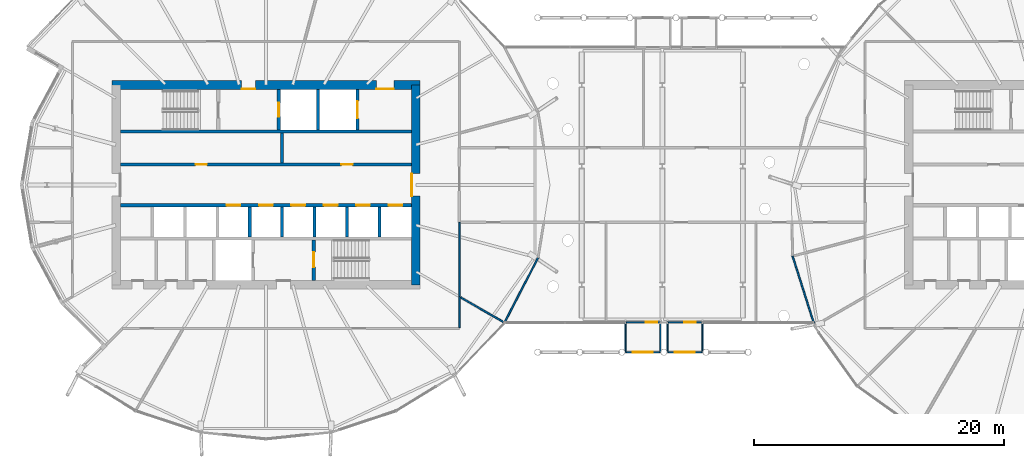
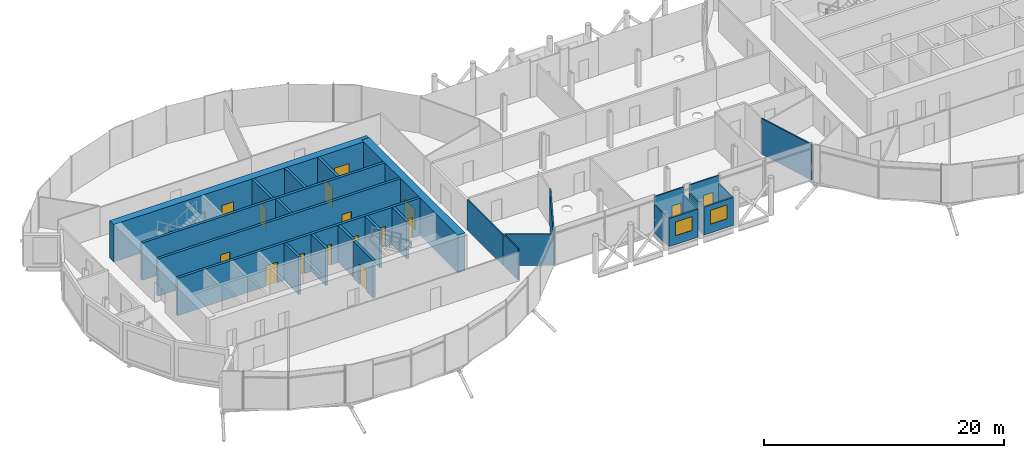
# One storey, part 25 of 40: 28 walls, 16 doors, 2 windows, 18 openings.
"""IFC4 building model written with IfcOpenShell, lengths in metres."""

import ifcopenshell
import ifcopenshell.guid

model = None  # the IFC model being written
_history = None  # IfcOwnerHistory: only IFC2X3 demands one
_inside = {}  # id of a spatial element -> (the spatial element, [elements in it])
_under = {}  # id of a project, library or spatial element -> (it, [spatial elements below it])
_declared = {}  # id of a project -> (the project, [libraries it declares])
_typed = {}  # id of a type object -> (the type object, [elements of that type])
_made_of = {}  # id of a material, layer set ... -> (it, [elements and type objects made of it])


def new_model(schema):
    """Start an empty IFC model of exactly this schema.

    Asked for "IFC4X3", IfcOpenShell would pick the latest addendum, in which some entities
    have other attributes; the version numbers below select the first issue.
    IFC2X3 requires an IfcOwnerHistory on every rooted entity: one is made here for all.
    """
    global model, _history
    if schema == "IFC4X3":
        model = ifcopenshell.file(schema_version=(4, 3, 0, 0))
    else:
        model = ifcopenshell.file(schema=schema)
    _inside.clear()
    _under.clear()
    _declared.clear()
    _typed.clear()
    _made_of.clear()
    _history = None
    if model.schema == "IFC2X3":
        org = make("IfcOrganization", Name="unknown")
        user = make(
            "IfcPersonAndOrganization",
            ThePerson=make("IfcPerson", FamilyName="unknown"),
            TheOrganization=org,
        )
        app = make(
            "IfcApplication",
            ApplicationDeveloper=org,
            Version="unknown",
            ApplicationFullName="unknown",
            ApplicationIdentifier="unknown",
        )
        _history = make(
            "IfcOwnerHistory",
            OwningUser=user,
            OwningApplication=app,
            ChangeAction="ADDED",
            CreationDate=0,
        )
    return model


def make(cls, **values):
    """One entity of the class cls with the attributes given. An attribute that is None is left unset."""
    return model.create_entity(
        cls, **{name: value for name, value in values.items() if value is not None}
    )


def rooted(cls, **values):
    """An entity with a GlobalId (a new one), such as an element, a storey or a relation."""
    return make(cls, GlobalId=ifcopenshell.guid.new(), OwnerHistory=_history, **values)


def si_unit(unit_type, name, prefix=None):
    """IfcSIUnit, for example si_unit("LENGTHUNIT", "METRE", prefix="MILLI")."""
    return make("IfcSIUnit", UnitType=unit_type, Prefix=prefix, Name=name)


def assignment(units):
    """IfcUnitAssignment: the units of a project."""
    return None if units is None else make("IfcUnitAssignment", Units=units)


def point(xyz):
    """IfcCartesianPoint."""
    return None if xyz is None else make("IfcCartesianPoint", Coordinates=xyz)


def direction(xyz):
    """IfcDirection."""
    return None if xyz is None else make("IfcDirection", DirectionRatios=xyz)


def frame(location, z_axis=None, x_axis=None):
    """IfcAxis2Placement3D, a coordinate frame: its origin and axes. An axis left out is left unset."""
    return make(
        "IfcAxis2Placement3D",
        Location=point(location),
        Axis=direction(z_axis),
        RefDirection=direction(x_axis),
    )


def frame_2d(location, x_axis=None):
    """IfcAxis2Placement2D, a coordinate frame in the plane: its origin and x axis."""
    return make(
        "IfcAxis2Placement2D", Location=point(location), RefDirection=direction(x_axis)
    )


def origin():
    """The frame at (0, 0, 0) with its axes left unset."""
    return frame((0.0, 0.0, 0.0))


def place(relative_to, where):
    """IfcLocalPlacement: puts the frame where relative to a parent placement (None: the world)."""
    return make(
        "IfcLocalPlacement", PlacementRelTo=relative_to, RelativePlacement=where
    )


def context(
    kind, dimensions, precision=None, world=None, true_north=None, identifier=None
):
    """IfcGeometricRepresentationContext, for example the 3D "Model" context."""
    return make(
        "IfcGeometricRepresentationContext",
        ContextIdentifier=identifier,
        ContextType=kind,
        CoordinateSpaceDimension=dimensions,
        Precision=precision,
        WorldCoordinateSystem=world,
        TrueNorth=true_north,
    )


def subcontext(parent, identifier, kind, view, scale=None):
    """IfcGeometricRepresentationSubContext, for example "Body" below "Model"."""
    return make(
        "IfcGeometricRepresentationSubContext",
        ContextIdentifier=identifier,
        ContextType=kind,
        ParentContext=parent,
        TargetScale=scale,
        TargetView=view,
    )


def project(units=None, contexts=None):
    """IfcProject with its units and contexts."""
    return rooted(
        "IfcProject",
        Name="project",
        RepresentationContexts=contexts,
        UnitsInContext=assignment(units),
    )


def spatial(cls, under=None, at=None, **own):
    """A site, building, storey or space (cls), placed at a placement, below another one or the project."""
    s = rooted(cls, ObjectPlacement=at, **own)
    if under is not None:
        _under.setdefault(under.id(), (under, []))[1].append(s)
    return s


def profile(cls, at=None, kind="AREA", **sizes):
    """A parametric profile (cls). Its sizes go by their IFC names, for example OverallWidth=200.0."""
    return make(cls, ProfileType=kind, Position=at, **sizes)


def rectangle(**sizes):
    """IfcRectangleProfileDef."""
    return profile("IfcRectangleProfileDef", **sizes)


def extrude(swept, where, along, depth):
    """IfcExtrudedAreaSolid: the profile swept, set in the frame where, extruded along a direction by depth."""
    return make(
        "IfcExtrudedAreaSolid",
        SweptArea=swept,
        Position=where,
        ExtrudedDirection=direction(along),
        Depth=depth,
    )


def shape(context_of_items, identifier, shape_type, items):
    """IfcShapeRepresentation: the items that make up one representation, for example the "Body"."""
    return make(
        "IfcShapeRepresentation",
        ContextOfItems=context_of_items,
        RepresentationIdentifier=identifier,
        RepresentationType=shape_type,
        Items=items,
    )


def material(Name=None, Category=None):
    """IfcMaterial."""
    return make("IfcMaterial", Name=Name, Category=Category)


def layer(
    of_material, thickness, ventilated=None, Name=None, Category=None, Priority=None
):
    """IfcMaterialLayer: one layer of a wall or slab, of a material (None: an air gap)."""
    return make(
        "IfcMaterialLayer",
        Material=of_material,
        LayerThickness=thickness,
        IsVentilated=ventilated,
        Name=Name,
        Category=Category,
        Priority=Priority,
    )


def layer_set(layers, Name=None):
    """IfcMaterialLayerSet."""
    return make("IfcMaterialLayerSet", MaterialLayers=layers, LayerSetName=Name)


def made_of(thing, what):
    """Note that an element or type object is made of a material, layer set ...; save() writes the relation."""
    if what is not None:
        _made_of.setdefault(what.id(), (what, []))[1].append(thing)
    return thing


def type_object(cls, material=None, **own):
    """A type object (cls), such as IfcWallType, which elements share."""
    return made_of(rooted(cls, **own), material)


def element(
    cls,
    number,
    at=None,
    inside=None,
    cuts=None,
    type_object=None,
    material=None,
    context=None,
    identifier="Body",
    shape_type=None,
    held_by="IfcProductDefinitionShape",
    body=None,
    shapes=None,
    **own,
):
    """One element of the class cls, such as IfcWall. Its Tag is "e" and its number.

    at: its placement. inside: the storey or other place that contains it. cuts: it is an
    opening in that element (IfcRelVoidsElement). A single representation is given by context,
    identifier, shape_type and body (its items); several are given by shapes. held_by: the class
    of the entity that holds the representations. save() writes the other relations.
    """
    e = rooted(cls, Tag="e%d" % number, ObjectPlacement=at, **own)
    if body is not None:
        shapes = [shape(context, identifier, shape_type, body)]
    if shapes is not None:
        e.Representation = make(held_by, Representations=shapes)
    if inside is not None:
        _inside.setdefault(inside.id(), (inside, []))[1].append(e)
    if cuts is not None:
        rooted(
            "IfcRelVoidsElement", RelatingBuildingElement=cuts, RelatedOpeningElement=e
        )
    if type_object is not None:
        _typed.setdefault(type_object.id(), (type_object, []))[1].append(e)
    return made_of(e, material)


def fill(opening, filler):
    """IfcRelFillsElement: the door or window that sits in an opening."""
    return rooted(
        "IfcRelFillsElement",
        RelatingOpeningElement=opening,
        RelatedBuildingElement=filler,
    )


def aggregate(whole, parts):
    """IfcRelAggregates: a whole, such as a stair, and the parts it consists of."""
    return rooted("IfcRelAggregates", RelatingObject=whole, RelatedObjects=parts)


def save(model, path):
    """Write the relations noted so far, then the file.

    IfcRelAggregates (storeys below a building ...), IfcRelContainedInSpatialStructure (elements
    in a storey), IfcRelDefinesByType, IfcRelAssociatesMaterial and IfcRelDeclares: one each for
    every whole, place, type object, material and project.
    """
    for whole, parts in _under.values():
        aggregate(whole, parts)
    for where, things in _inside.values():
        rooted(
            "IfcRelContainedInSpatialStructure",
            RelatedElements=things,
            RelatingStructure=where,
        )
    for kind, things in _typed.values():
        rooted("IfcRelDefinesByType", RelatedObjects=things, RelatingType=kind)
    for what, things in _made_of.values():
        rooted("IfcRelAssociatesMaterial", RelatedObjects=things, RelatingMaterial=what)
    for by, libraries in _declared.values():
        rooted("IfcRelDeclares", RelatingContext=by, RelatedDefinitions=libraries)
    model.write(path)


model = new_model("IFC4")

# Units and contexts
model_context = context("Model", 3, precision=1e-05, world=origin(), true_north=direction((0.0, 1.0)))
body_context = subcontext(model_context, "Body", "Model", "MODEL_VIEW")
ifc_project = project(units=[si_unit("LENGTHUNIT", "METRE"), si_unit("AREAUNIT", "SQUARE_METRE"), si_unit("VOLUMEUNIT", "CUBIC_METRE"), si_unit("PLANEANGLEUNIT", "RADIAN"), si_unit("MASSUNIT", "GRAM", prefix="KILO")], contexts=[model_context])

# Site, building, storey
site_placement = place(None, origin())
site = spatial("IfcSite", under=ifc_project, at=site_placement, CompositionType="ELEMENT")
building_placement = place(site_placement, origin())
building = spatial("IfcBuilding", under=site, at=building_placement, Name="Rimbun Link Towers", CompositionType="ELEMENT")
storey_placement = place(building_placement, frame((0.0, 0.0, 150.60009765625)))
storey = spatial("IfcBuildingStorey", under=building, at=storey_placement, Name="L36", CompositionType="ELEMENT", Elevation=150.60009765625)

# Wall
ifc_material_1 = material(Name="Terracotta-faced insulated sandwich panel", Category="masonry")
ifc_layer_1 = layer(ifc_material_1, 0.10009765625)
ifc_layer_set_1 = layer_set([ifc_layer_1], Name="CAPSULE shell panel 100")
wall_type_1 = type_object("IfcWallType", Name="CAPSULE shell panel 100", PredefinedType="STANDARD", material=ifc_layer_set_1)
wall_1_placement = place(storey_placement, frame((-2.95556640625, -11.0, -0.06005859375), z_axis=(0.0, 0.0, 1.0), x_axis=(0.0, -1.0, 0.0)))
element("IfcWall", 1, at=wall_1_placement, inside=storey, type_object=wall_type_1, Name="CAPSULE F36.11 shell panel 1", PredefinedType="STANDARD", context=body_context, shape_type="SweptSolid", body=[
    extrude(rectangle(XDim=2.39990234375, YDim=0.10009765625, at=frame_2d((1.199951171875, 0.0))), origin(), (0.0, 0.0, 1.0), 2.849853515625),
])

# Wall, opening, window
wall_2_placement = place(storey_placement, frame((-2.95556640625, -13.39990234375, -0.06005859375), z_axis=(0.0, 0.0, 1.0), x_axis=(1.0, 0.0, 0.0)))
wall_2 = element("IfcWall", 2, at=wall_2_placement, inside=storey, type_object=wall_type_1, Name="CAPSULE F36.11 shell panel 2", PredefinedType="STANDARD", context=body_context, shape_type="SweptSolid", body=[
    extrude(rectangle(XDim=2.7998046875, YDim=0.10009765625, at=frame_2d((1.39990234375, 0.0))), origin(), (0.0, 0.0, 1.0), 2.849853515625),
])
opening_1_placement = place(wall_2_placement, frame((0.60009765625, 0.0, 0.89990234375)))
opening_1 = element("IfcOpeningElement", 3, at=opening_1_placement, cuts=wall_2, Name="Opening CN36.11", PredefinedType="OPENING", context=body_context, shape_type="SweptSolid", body=[
    extrude(rectangle(XDim=1.60009765625, YDim=1.39990234375, at=frame_2d((0.800048828125, 0.699951171875))), frame((0.0, 0.06005859375, 0.0), z_axis=(0.0, -1.0, 0.0), x_axis=(1.0, 0.0, 0.0)), (0.0, 0.0, 1.0), 0.1201171875),
])
ifc_material_2 = material(Name="Aluminium framed window, low-iron glass", Category="aluminium")
window_type = type_object("IfcWindowType", Name="CAPSULE window 1600X1400", PartitioningType="SINGLE_PANEL", PredefinedType="WINDOW", material=ifc_material_2)
window_1_placement = place(opening_1_placement, origin())
window_1 = element("IfcWindow", 4, at=window_1_placement, inside=storey, type_object=window_type, Name="CAPSULE F36.11 window", OverallHeight=1.39990234375, OverallWidth=1.60009765625, PartitioningType="SINGLE_PANEL", PredefinedType="WINDOW", context=body_context, shape_type="SweptSolid", body=[
    extrude(rectangle(XDim=1.60009765625, YDim=1.39990234375, at=frame_2d((0.800048828125, 0.699951171875))), frame((0.0, 0.030029296875, 0.0), z_axis=(0.0, -1.0, 0.0), x_axis=(1.0, 0.0, 0.0)), (0.0, 0.0, 1.0), 0.06005859375),
])
fill(opening_1, window_1)

# Wall
wall_3_placement = place(storey_placement, frame((-0.15576171875, -13.39990234375, -0.06005859375), z_axis=(0.0, 0.0, 1.0), x_axis=(0.0, 1.0, 0.0)))
element("IfcWall", 5, at=wall_3_placement, inside=storey, type_object=wall_type_1, Name="CAPSULE F36.11 shell panel 3", PredefinedType="STANDARD", context=body_context, shape_type="SweptSolid", body=[
    extrude(rectangle(XDim=2.39990234375, YDim=0.10009765625, at=frame_2d((1.199951171875, 0.0))), origin(), (0.0, 0.0, 1.0), 2.849853515625),
])

# Wall, opening, door
wall_4_placement = place(storey_placement, frame((-0.15576171875, -11.0, -0.06005859375), z_axis=(0.0, 0.0, 1.0), x_axis=(-1.0, 0.0, 0.0)))
wall_4 = element("IfcWall", 6, at=wall_4_placement, inside=storey, type_object=wall_type_1, Name="CAPSULE F36.11 shell panel 4", PredefinedType="STANDARD", context=body_context, shape_type="SweptSolid", body=[
    extrude(rectangle(XDim=2.7998046875, YDim=0.10009765625, at=frame_2d((1.39990234375, 0.0))), origin(), (0.0, 0.0, 1.0), 3.639892578125),
])
opening_2_placement = place(wall_4_placement, frame((0.25, 0.0, 0.0)))
opening_2 = element("IfcOpeningElement", 7, at=opening_2_placement, cuts=wall_4, Name="Opening CD36.11", PredefinedType="OPENING", context=body_context, shape_type="SweptSolid", body=[
    extrude(rectangle(XDim=0.89990234375, YDim=2.10009765625, at=frame_2d((0.449951171875, 1.050048828125))), frame((0.0, 0.06005859375, 0.0), z_axis=(0.0, -1.0, 0.0), x_axis=(1.0, 0.0, 0.0)), (0.0, 0.0, 1.0), 0.1201171875),
])
ifc_material_3 = material(Name="Aluminium framed insulated door leaf", Category="aluminium")
door_type_1 = type_object("IfcDoorType", Name="CAPSULE door single leaf 900X2100", OperationType="SINGLE_SWING_LEFT", PredefinedType="DOOR", material=ifc_material_3)
door_1_placement = place(opening_2_placement, origin())
door_1 = element("IfcDoor", 8, at=door_1_placement, inside=storey, type_object=door_type_1, Name="CAPSULE F36.11 door", OperationType="SINGLE_SWING_RIGHT", OverallHeight=2.10009765625, OverallWidth=0.89990234375, PredefinedType="DOOR", context=body_context, shape_type="SweptSolid", body=[
    extrude(rectangle(XDim=0.89990234375, YDim=2.10009765625, at=frame_2d((0.449951171875, 1.050048828125))), frame((0.0, 0.02490234375, 0.0), z_axis=(0.0, -1.0, 0.0), x_axis=(1.0, 0.0, 0.0)), (0.0, 0.0, 1.0), 0.050048828125),
])
fill(opening_2, door_1)

# Wall
wall_5_placement = place(storey_placement, frame((0.413330078125, -11.0, -0.06005859375), z_axis=(0.0, 0.0, 1.0), x_axis=(0.0, -1.0, 0.0)))
element("IfcWall", 9, at=wall_5_placement, inside=storey, type_object=wall_type_1, Name="CAPSULE F36.12 shell panel 1", PredefinedType="STANDARD", context=body_context, shape_type="SweptSolid", body=[
    extrude(rectangle(XDim=2.39990234375, YDim=0.10009765625, at=frame_2d((1.199951171875, 0.0))), origin(), (0.0, 0.0, 1.0), 2.849853515625),
])

# Wall, opening, window
wall_6_placement = place(storey_placement, frame((0.413330078125, -13.39990234375, -0.06005859375), z_axis=(0.0, 0.0, 1.0), x_axis=(1.0, 0.0, 0.0)))
wall_6 = element("IfcWall", 10, at=wall_6_placement, inside=storey, type_object=wall_type_1, Name="CAPSULE F36.12 shell panel 2", PredefinedType="STANDARD", context=body_context, shape_type="SweptSolid", body=[
    extrude(rectangle(XDim=2.800048828125, YDim=0.10009765625, at=frame_2d((1.39990234375, 0.0))), origin(), (0.0, 0.0, 1.0), 2.849853515625),
])
opening_3_placement = place(wall_6_placement, frame((0.60009765625, 0.0, 0.89990234375)))
opening_3 = element("IfcOpeningElement", 11, at=opening_3_placement, cuts=wall_6, Name="Opening CN36.12", PredefinedType="OPENING", context=body_context, shape_type="SweptSolid", body=[
    extrude(rectangle(XDim=1.60009765625, YDim=1.39990234375, at=frame_2d((0.800048828125, 0.699951171875))), frame((0.0, 0.06005859375, 0.0), z_axis=(0.0, -1.0, 0.0), x_axis=(1.0, 0.0, 0.0)), (0.0, 0.0, 1.0), 0.1201171875),
])
window_2_placement = place(opening_3_placement, origin())
window_2 = element("IfcWindow", 12, at=window_2_placement, inside=storey, type_object=window_type, Name="CAPSULE F36.12 window", OverallHeight=1.39990234375, OverallWidth=1.60009765625, PartitioningType="SINGLE_PANEL", PredefinedType="WINDOW", context=body_context, shape_type="SweptSolid", body=[
    extrude(rectangle(XDim=1.60009765625, YDim=1.39990234375, at=frame_2d((0.800048828125, 0.699951171875))), frame((0.0, 0.030029296875, 0.0), z_axis=(0.0, -1.0, 0.0), x_axis=(1.0, 0.0, 0.0)), (0.0, 0.0, 1.0), 0.06005859375),
])
fill(opening_3, window_2)

# Wall
wall_7_placement = place(storey_placement, frame((3.21337890625, -13.39990234375, -0.06005859375), z_axis=(0.0, 0.0, 1.0), x_axis=(0.0, 1.0, 0.0)))
element("IfcWall", 13, at=wall_7_placement, inside=storey, type_object=wall_type_1, Name="CAPSULE F36.12 shell panel 3", PredefinedType="STANDARD", context=body_context, shape_type="SweptSolid", body=[
    extrude(rectangle(XDim=2.39990234375, YDim=0.10009765625, at=frame_2d((1.199951171875, 0.0))), origin(), (0.0, 0.0, 1.0), 2.849853515625),
])

# Wall, opening, door
wall_8_placement = place(storey_placement, frame((3.21337890625, -11.0, -0.06005859375), z_axis=(0.0, 0.0, 1.0), x_axis=(-1.0, 0.0, 0.0)))
wall_8 = element("IfcWall", 14, at=wall_8_placement, inside=storey, type_object=wall_type_1, Name="CAPSULE F36.12 shell panel 4", PredefinedType="STANDARD", context=body_context, shape_type="SweptSolid", body=[
    extrude(rectangle(XDim=2.800048828125, YDim=0.10009765625, at=frame_2d((1.39990234375, 0.0))), origin(), (0.0, 0.0, 1.0), 3.639892578125),
])
opening_4_placement = place(wall_8_placement, frame((0.550048828125, 0.0, 0.0)))
opening_4 = element("IfcOpeningElement", 15, at=opening_4_placement, cuts=wall_8, Name="Opening CD36.12", PredefinedType="OPENING", context=body_context, shape_type="SweptSolid", body=[
    extrude(rectangle(XDim=0.89990234375, YDim=2.10009765625, at=frame_2d((0.449951171875, 1.050048828125))), frame((0.0, 0.06005859375, 0.0), z_axis=(0.0, -1.0, 0.0), x_axis=(1.0, 0.0, 0.0)), (0.0, 0.0, 1.0), 0.1201171875),
])
door_2_placement = place(opening_4_placement, origin())
door_2 = element("IfcDoor", 16, at=door_2_placement, inside=storey, type_object=door_type_1, Name="CAPSULE F36.12 door", OperationType="SINGLE_SWING_LEFT", OverallHeight=2.10009765625, OverallWidth=0.89990234375, PredefinedType="DOOR", context=body_context, shape_type="SweptSolid", body=[
    extrude(rectangle(XDim=0.89990234375, YDim=2.10009765625, at=frame_2d((0.449951171875, 1.050048828125))), frame((0.0, 0.02490234375, 0.0), z_axis=(0.0, -1.0, 0.0), x_axis=(1.0, 0.0, 0.0)), (0.0, 0.0, 1.0), 0.050048828125),
])
fill(opening_4, door_2)

# Wall, openings, doors
ifc_material_4 = material(Name="Concrete C60/75", Category="concrete")
ifc_layer_2 = layer(ifc_material_4, 0.699951171875)
ifc_layer_set_2 = layer_set([ifc_layer_2], Name="Core shear wall 700")
wall_type_2 = type_object("IfcWallType", Name="Core shear wall 700", PredefinedType="SHEAR", material=ifc_layer_set_2)
wall_9_placement = place(storey_placement, frame((-44.10009765625, 8.0, 0.0), z_axis=(0.0, 0.0, 1.0), x_axis=(1.0, 0.0, 0.0)))
wall_9 = element("IfcWall", 17, at=wall_9_placement, inside=storey, type_object=wall_type_2, Name="L36 T1 core wall N", PredefinedType="SHEAR", context=body_context, shape_type="SweptSolid", body=[
    extrude(rectangle(XDim=24.7001953125, YDim=0.699951171875, at=frame_2d((12.35009765625, 0.0))), origin(), (0.0, 0.0, 1.0), 3.7998046875),
])
opening_5_placement = place(wall_9_placement, frame((10.39990234375, 0.0, 0.0)))
opening_5 = element("IfcOpeningElement", 18, at=opening_5_placement, cuts=wall_9, Name="Opening C1DCF01N", PredefinedType="OPENING", context=body_context, shape_type="SweptSolid", body=[
    extrude(rectangle(XDim=1.10009765625, YDim=2.10009765625, at=frame_2d((0.550048828125, 1.050048828125))), frame((0.0, 0.35986328125, 0.0), z_axis=(0.0, -1.0, 0.0), x_axis=(1.0, 0.0, 0.0)), (0.0, 0.0, 1.0), 0.719970703125),
])
opening_6_placement = place(wall_9_placement, frame((21.199951171875, 0.0, 0.0)))
opening_6 = element("IfcOpeningElement", 19, at=opening_6_placement, cuts=wall_9, Name="Opening C1DSL02N", PredefinedType="OPENING", context=body_context, shape_type="SweptSolid", body=[
    extrude(rectangle(XDim=1.39990234375, YDim=2.10009765625, at=frame_2d((0.699951171875, 1.050048828125))), frame((0.0, 0.35986328125, 0.0), z_axis=(0.0, -1.0, 0.0), x_axis=(1.0, 0.0, 0.0)), (0.0, 0.0, 1.0), 0.719970703125),
])
ifc_material_5 = material(Name="Steel fire door set", Category="steel")
door_type_2 = type_object("IfcDoorType", Name="Core fire door single", OperationType="SINGLE_SWING_LEFT", PredefinedType="DOOR", material=ifc_material_5)
door_3_placement = place(opening_5_placement, origin())
door_3 = element("IfcDoor", 20, at=door_3_placement, inside=storey, type_object=door_type_2, Name="L36 T1 firefighting lobby n door", OperationType="SINGLE_SWING_LEFT", OverallHeight=2.10009765625, OverallWidth=1.10009765625, PredefinedType="DOOR", context=body_context, shape_type="SweptSolid", body=[
    extrude(rectangle(XDim=1.10009765625, YDim=2.10009765625, at=frame_2d((0.550048828125, 1.050048828125))), frame((0.0, -0.2998046875, 0.0), z_axis=(0.0, -1.0, 0.0), x_axis=(1.0, 0.0, 0.0)), (0.0, 0.0, 1.0), 0.050048828125),
])
fill(opening_5, door_3)
ifc_material_6 = material(Name="Steel fire door set", Category="steel")
door_type_3 = type_object("IfcDoorType", Name="Service lobby door double", OperationType="DOUBLE_DOOR_SINGLE_SWING", PredefinedType="DOOR", material=ifc_material_6)
door_4_placement = place(opening_6_placement, origin())
door_4 = element("IfcDoor", 21, at=door_4_placement, inside=storey, type_object=door_type_3, Name="L36 T1 service lobby door", OperationType="DOUBLE_DOOR_SINGLE_SWING", OverallHeight=2.10009765625, OverallWidth=1.39990234375, PredefinedType="DOOR", context=body_context, shape_type="SweptSolid", body=[
    extrude(rectangle(XDim=1.39990234375, YDim=2.10009765625, at=frame_2d((0.699951171875, 1.050048828125))), frame((0.0, -0.2998046875, 0.0), z_axis=(0.0, -1.0, 0.0), x_axis=(1.0, 0.0, 0.0)), (0.0, 0.0, 1.0), 0.050048828125),
])
fill(opening_6, door_4)

# Wall, opening, door
wall_10_placement = place(storey_placement, frame((-19.75, -8.0, 0.0), z_axis=(0.0, 0.0, 1.0), x_axis=(0.0, 1.0, 0.0)))
wall_10 = element("IfcWall", 22, at=wall_10_placement, inside=storey, type_object=wall_type_2, Name="L36 T1 core wall E", PredefinedType="SHEAR", context=body_context, shape_type="SweptSolid", body=[
    extrude(rectangle(XDim=16.0, YDim=0.699951171875, at=frame_2d((8.0, 0.0))), origin(), (0.0, 0.0, 1.0), 3.7998046875),
])
opening_7_placement = place(wall_10_placement, frame((7.10009765625, 0.0, 0.0)))
opening_7 = element("IfcOpeningElement", 23, at=opening_7_placement, cuts=wall_10, Name="Opening C1DCL01E", PredefinedType="OPENING", context=body_context, shape_type="SweptSolid", body=[
    extrude(rectangle(XDim=1.800048828125, YDim=2.10009765625, at=frame_2d((0.89990234375, 1.050048828125))), frame((0.0, 0.35986328125, 0.0), z_axis=(0.0, -1.0, 0.0), x_axis=(1.0, 0.0, 0.0)), (0.0, 0.0, 1.0), 0.719970703125),
])
ifc_material_7 = material(Name="Steel fire door set", Category="steel")
door_type_4 = type_object("IfcDoorType", Name="Core lobby door double", OperationType="DOUBLE_DOOR_SINGLE_SWING", PredefinedType="DOOR", material=ifc_material_7)
door_5_placement = place(opening_7_placement, origin())
door_5 = element("IfcDoor", 24, at=door_5_placement, inside=storey, type_object=door_type_4, Name="L36 T1 lift lobby door", OperationType="DOUBLE_DOOR_SINGLE_SWING", OverallHeight=2.10009765625, OverallWidth=1.800048828125, PredefinedType="DOOR", context=body_context, shape_type="SweptSolid", body=[
    extrude(rectangle(XDim=1.800048828125, YDim=2.10009765625, at=frame_2d((0.89990234375, 1.050048828125))), frame((0.0, 0.35009765625, 0.0), z_axis=(0.0, -1.0, 0.0), x_axis=(1.0, 0.0, 0.0)), (0.0, 0.0, 1.0), 0.050048828125),
])
fill(opening_7, door_5)

# Walls
ifc_material_8 = material(Name="Gypsum board on steel studs", Category="steel")
ifc_layer_3 = layer(ifc_material_8, 0.125)
ifc_layer_set_3 = layer_set([ifc_layer_3], Name="Partition 125 board on studs")
wall_type_3 = type_object("IfcWallType", Name="Partition 125 board on studs", PredefinedType="PARTITIONING", material=ifc_layer_set_3)
wall_11_placement = place(storey_placement, frame((-16.25, -11.4375, 0.0), z_axis=(0.0, 0.0, 1.0), x_axis=(0.0, 1.0, 0.0)))
element("IfcWall", 25, at=wall_11_placement, inside=storey, type_object=wall_type_3, Name="TW/PW/L36/013", PredefinedType="PARTITIONING", context=body_context, shape_type="SweptSolid", body=[
    extrude(rectangle(XDim=2.488525390625, YDim=0.125, at=frame_2d((1.244140625, 0.0))), origin(), (0.0, 0.0, 1.0), 3.19384765625),
])
wall_12_placement = place(storey_placement, frame((-16.25, -8.948974609375, 0.0), z_axis=(0.0, 0.0, 1.0), x_axis=(0.0, 1.0, 0.0)))
element("IfcWall", 26, at=wall_12_placement, inside=storey, type_object=wall_type_3, Name="TW/PW/L36/015", PredefinedType="PARTITIONING", context=body_context, shape_type="SweptSolid", body=[
    extrude(rectangle(XDim=5.948974609375, YDim=0.125, at=frame_2d((2.974609375, 0.0))), origin(), (0.0, 0.0, 1.0), 3.06689453125),
])
wall_13_placement = place(storey_placement, frame((-12.634521484375, -11.036376953125, 0.0), z_axis=(0.0, 0.0, 1.0), x_axis=(-0.866032621252, 0.499987498772, 0.0)))
element("IfcWall", 27, at=wall_13_placement, inside=storey, type_object=wall_type_3, Name="TW/PW/L36/028", PredefinedType="PARTITIONING", context=body_context, shape_type="SweptSolid", body=[
    extrude(rectangle(XDim=4.06640625, YDim=0.125, at=frame_2d((2.033203125, 0.0))), origin(), (0.0, 0.0, 1.0), 3.19384765625),
])
wall_14_placement = place(storey_placement, frame((-12.663818359375, -11.071044921875, 0.0), z_axis=(0.0, 0.0, 1.0), x_axis=(0.459568637938, 0.888142256074, 0.0)))
element("IfcWall", 28, at=wall_14_placement, inside=storey, type_object=wall_type_3, Name="TW/PW/L36/031", PredefinedType="PARTITIONING", context=body_context, shape_type="SweptSolid", body=[
    extrude(rectangle(XDim=5.970703125, YDim=0.125, at=frame_2d((2.9853515625, 0.0))), origin(), (0.0, 0.0, 1.0), 3.619873046875),
])
wall_15_placement = place(storey_placement, frame((10.43603515625, -5.70068359375, 0.0), z_axis=(0.0, 0.0, 1.0), x_axis=(0.303057162415, -0.952972379615, 0.0)))
element("IfcWall", 29, at=wall_15_placement, inside=storey, type_object=wall_type_3, Name="TW/PW/L36/055", PredefinedType="PARTITIONING", context=body_context, shape_type="SweptSolid", body=[
    extrude(rectangle(XDim=5.640869140625, YDim=0.125, at=frame_2d((2.8203125, 0.0))), origin(), (0.0, 0.0, 1.0), 3.619873046875),
])
ifc_material_9 = material(Name="Concrete C60/75", Category="concrete")
ifc_layer_4 = layer(ifc_material_9, 0.25)
ifc_layer_set_4 = layer_set([ifc_layer_4], Name="Shaft wall 250")
wall_type_4 = type_object("IfcWallType", Name="Shaft wall 250", PredefinedType="SHEAR", material=ifc_layer_set_4)
wall_16_placement = place(storey_placement, frame((-43.39990234375, 4.27490234375, 0.0), z_axis=(0.0, 0.0, 1.0), x_axis=(1.0, 0.0, 0.0)))
element("IfcWall", 30, at=wall_16_placement, inside=storey, type_object=wall_type_4, Name="L36 T1 core wall BN", PredefinedType="SHEAR", context=body_context, shape_type="SweptSolid", body=[
    extrude(rectangle(XDim=23.2998046875, YDim=0.25, at=frame_2d((11.64990234375, 0.0))), origin(), (0.0, 0.0, 1.0), 3.7998046875),
])

# Wall, openings, doors
wall_17_placement = place(storey_placement, frame((-43.39990234375, 1.625, 0.0), z_axis=(0.0, 0.0, 1.0), x_axis=(1.0, 0.0, 0.0)))
wall_17 = element("IfcWall", 31, at=wall_17_placement, inside=storey, type_object=wall_type_4, Name="L36 T1 core wall FN", PredefinedType="SHEAR", context=body_context, shape_type="SweptSolid", body=[
    extrude(rectangle(XDim=23.2998046875, YDim=0.25, at=frame_2d((11.64990234375, 0.0))), origin(), (0.0, 0.0, 1.0), 3.7998046875),
])
opening_8_placement = place(wall_17_placement, frame((6.010986328125, 0.0, 0.0)))
opening_8 = element("IfcOpeningElement", 32, at=opening_8_placement, cuts=wall_17, Name="Opening C1DRS01FN", PredefinedType="OPENING", context=body_context, shape_type="SweptSolid", body=[
    extrude(rectangle(XDim=0.89990234375, YDim=2.10009765625, at=frame_2d((0.449951171875, 1.050048828125))), frame((0.0, 0.135009765625, 0.0), z_axis=(0.0, -1.0, 0.0), x_axis=(1.0, 0.0, 0.0)), (0.0, 0.0, 1.0), 0.27001953125),
])
opening_9_placement = place(wall_17_placement, frame((17.68603515625, 0.0, 0.0)))
opening_9 = element("IfcOpeningElement", 33, at=opening_9_placement, cuts=wall_17, Name="Opening C1DRS02FN", PredefinedType="OPENING", context=body_context, shape_type="SweptSolid", body=[
    extrude(rectangle(XDim=0.89990234375, YDim=2.10009765625, at=frame_2d((0.449951171875, 1.050048828125))), frame((0.0, 0.135009765625, 0.0), z_axis=(0.0, -1.0, 0.0), x_axis=(1.0, 0.0, 0.0)), (0.0, 0.0, 1.0), 0.27001953125),
])
ifc_material_10 = material(Name="Steel fire door set", Category="steel")
door_type_5 = type_object("IfcDoorType", Name="Core riser door", OperationType="SINGLE_SWING_LEFT", PredefinedType="DOOR", material=ifc_material_10)
door_6_placement = place(opening_8_placement, origin())
door_6 = element("IfcDoor", 34, at=door_6_placement, inside=storey, type_object=door_type_5, Name="L36 T1 data room door", OperationType="SINGLE_SWING_LEFT", OverallHeight=2.10009765625, OverallWidth=0.89990234375, PredefinedType="DOOR", context=body_context, shape_type="SweptSolid", body=[
    extrude(rectangle(XDim=0.89990234375, YDim=2.10009765625, at=frame_2d((0.449951171875, 1.050048828125))), frame((0.0, 0.02490234375, 0.0), z_axis=(0.0, -1.0, 0.0), x_axis=(1.0, 0.0, 0.0)), (0.0, 0.0, 1.0), 0.050048828125),
])
fill(opening_8, door_6)
door_7_placement = place(opening_9_placement, origin())
door_7 = element("IfcDoor", 35, at=door_7_placement, inside=storey, type_object=door_type_5, Name="L36 T1 meeting room door", OperationType="SINGLE_SWING_RIGHT", OverallHeight=2.10009765625, OverallWidth=0.89990234375, PredefinedType="DOOR", context=body_context, shape_type="SweptSolid", body=[
    extrude(rectangle(XDim=0.89990234375, YDim=2.10009765625, at=frame_2d((0.449951171875, 1.050048828125))), frame((0.0, 0.02490234375, 0.0), z_axis=(0.0, -1.0, 0.0), x_axis=(1.0, 0.0, 0.0)), (0.0, 0.0, 1.0), 0.050048828125),
])
fill(opening_9, door_7)

wall_18_placement = place(storey_placement, frame((-43.39990234375, -1.625, 0.0), z_axis=(0.0, 0.0, 1.0), x_axis=(1.0, 0.0, 0.0)))
wall_18 = element("IfcWall", 36, at=wall_18_placement, inside=storey, type_object=wall_type_4, Name="L36 T1 core wall FS", PredefinedType="SHEAR", context=body_context, shape_type="SweptSolid", body=[
    extrude(rectangle(XDim=23.2998046875, YDim=0.25, at=frame_2d((11.64990234375, 0.0))), origin(), (0.0, 0.0, 1.0), 3.7998046875),
])
opening_10_placement = place(wall_18_placement, frame((8.505615234375, 0.0, 0.0)))
opening_10 = element("IfcOpeningElement", 37, at=opening_10_placement, cuts=wall_18, Name="Opening LD-T1-HR1", PredefinedType="OPENING", context=body_context, shape_type="SweptSolid", body=[
    extrude(rectangle(XDim=1.10009765625, YDim=2.10009765625, at=frame_2d((0.550048828125, 1.050048828125))), frame((0.0, 0.135009765625, 0.0), z_axis=(0.0, -1.0, 0.0), x_axis=(1.0, 0.0, 0.0)), (0.0, 0.0, 1.0), 0.27001953125),
])
opening_11_placement = place(wall_18_placement, frame((11.10009765625, 0.0, 0.0)))
opening_11 = element("IfcOpeningElement", 38, at=opening_11_placement, cuts=wall_18, Name="Opening LD-T1-HR2", PredefinedType="OPENING", context=body_context, shape_type="SweptSolid", body=[
    extrude(rectangle(XDim=1.10009765625, YDim=2.10009765625, at=frame_2d((0.550048828125, 1.050048828125))), frame((0.0, 0.135009765625, 0.0), z_axis=(0.0, -1.0, 0.0), x_axis=(1.0, 0.0, 0.0)), (0.0, 0.0, 1.0), 0.27001953125),
])
opening_12_placement = place(wall_18_placement, frame((13.6943359375, 0.0, 0.0)))
opening_12 = element("IfcOpeningElement", 39, at=opening_12_placement, cuts=wall_18, Name="Opening LD-T1-HR3", PredefinedType="OPENING", context=body_context, shape_type="SweptSolid", body=[
    extrude(rectangle(XDim=1.10009765625, YDim=2.10009765625, at=frame_2d((0.550048828125, 1.050048828125))), frame((0.0, 0.135009765625, 0.0), z_axis=(0.0, -1.0, 0.0), x_axis=(1.0, 0.0, 0.0)), (0.0, 0.0, 1.0), 0.27001953125),
])
opening_13_placement = place(wall_18_placement, frame((16.288818359375, 0.0, 0.0)))
opening_13 = element("IfcOpeningElement", 40, at=opening_13_placement, cuts=wall_18, Name="Opening LD-T1-HR4", PredefinedType="OPENING", context=body_context, shape_type="SweptSolid", body=[
    extrude(rectangle(XDim=1.10009765625, YDim=2.10009765625, at=frame_2d((0.550048828125, 1.050048828125))), frame((0.0, 0.135009765625, 0.0), z_axis=(0.0, -1.0, 0.0), x_axis=(1.0, 0.0, 0.0)), (0.0, 0.0, 1.0), 0.27001953125),
])
opening_14_placement = place(wall_18_placement, frame((18.88330078125, 0.0, 0.0)))
opening_14 = element("IfcOpeningElement", 41, at=opening_14_placement, cuts=wall_18, Name="Opening LD-T1-HR5", PredefinedType="OPENING", context=body_context, shape_type="SweptSolid", body=[
    extrude(rectangle(XDim=1.10009765625, YDim=2.10009765625, at=frame_2d((0.550048828125, 1.050048828125))), frame((0.0, 0.135009765625, 0.0), z_axis=(0.0, -1.0, 0.0), x_axis=(1.0, 0.0, 0.0)), (0.0, 0.0, 1.0), 0.27001953125),
])
opening_15_placement = place(wall_18_placement, frame((21.477783203125, 0.0, 0.0)))
opening_15 = element("IfcOpeningElement", 42, at=opening_15_placement, cuts=wall_18, Name="Opening LD-T1-HR6", PredefinedType="OPENING", context=body_context, shape_type="SweptSolid", body=[
    extrude(rectangle(XDim=1.10009765625, YDim=2.10009765625, at=frame_2d((0.550048828125, 1.050048828125))), frame((0.0, 0.135009765625, 0.0), z_axis=(0.0, -1.0, 0.0), x_axis=(1.0, 0.0, 0.0)), (0.0, 0.0, 1.0), 0.27001953125),
])
ifc_material_11 = material(Name="Stainless steel grade 316", Category="steel")
door_type_6 = type_object("IfcDoorType", Name="Lift landing door", OperationType="DOUBLE_DOOR_SLIDING", PredefinedType="DOOR", material=ifc_material_11)
door_8_placement = place(opening_10_placement, origin())
door_8 = element("IfcDoor", 43, at=door_8_placement, inside=storey, type_object=door_type_6, Name="L36 T1 lift HR1 landing door", OperationType="DOUBLE_DOOR_SLIDING", OverallHeight=2.10009765625, OverallWidth=1.10009765625, PredefinedType="DOOR", context=body_context, shape_type="SweptSolid", body=[
    extrude(rectangle(XDim=1.10009765625, YDim=2.10009765625, at=frame_2d((0.550048828125, 1.050048828125))), frame((0.0, 0.02490234375, 0.0), z_axis=(0.0, -1.0, 0.0), x_axis=(1.0, 0.0, 0.0)), (0.0, 0.0, 1.0), 0.050048828125),
])
fill(opening_10, door_8)
door_9_placement = place(opening_11_placement, origin())
door_9 = element("IfcDoor", 44, at=door_9_placement, inside=storey, type_object=door_type_6, Name="L36 T1 lift HR2 landing door", OperationType="DOUBLE_DOOR_SLIDING", OverallHeight=2.10009765625, OverallWidth=1.10009765625, PredefinedType="DOOR", context=body_context, shape_type="SweptSolid", body=[
    extrude(rectangle(XDim=1.10009765625, YDim=2.10009765625, at=frame_2d((0.550048828125, 1.050048828125))), frame((0.0, 0.02490234375, 0.0), z_axis=(0.0, -1.0, 0.0), x_axis=(1.0, 0.0, 0.0)), (0.0, 0.0, 1.0), 0.050048828125),
])
fill(opening_11, door_9)
door_10_placement = place(opening_12_placement, origin())
door_10 = element("IfcDoor", 45, at=door_10_placement, inside=storey, type_object=door_type_6, Name="L36 T1 lift HR3 landing door", OperationType="DOUBLE_DOOR_SLIDING", OverallHeight=2.10009765625, OverallWidth=1.10009765625, PredefinedType="DOOR", context=body_context, shape_type="SweptSolid", body=[
    extrude(rectangle(XDim=1.10009765625, YDim=2.10009765625, at=frame_2d((0.550048828125, 1.050048828125))), frame((0.0, 0.02490234375, 0.0), z_axis=(0.0, -1.0, 0.0), x_axis=(1.0, 0.0, 0.0)), (0.0, 0.0, 1.0), 0.050048828125),
])
fill(opening_12, door_10)
door_11_placement = place(opening_13_placement, origin())
door_11 = element("IfcDoor", 46, at=door_11_placement, inside=storey, type_object=door_type_6, Name="L36 T1 lift HR4 landing door", OperationType="DOUBLE_DOOR_SLIDING", OverallHeight=2.10009765625, OverallWidth=1.10009765625, PredefinedType="DOOR", context=body_context, shape_type="SweptSolid", body=[
    extrude(rectangle(XDim=1.10009765625, YDim=2.10009765625, at=frame_2d((0.550048828125, 1.050048828125))), frame((0.0, 0.02490234375, 0.0), z_axis=(0.0, -1.0, 0.0), x_axis=(1.0, 0.0, 0.0)), (0.0, 0.0, 1.0), 0.050048828125),
])
fill(opening_13, door_11)
door_12_placement = place(opening_14_placement, origin())
door_12 = element("IfcDoor", 47, at=door_12_placement, inside=storey, type_object=door_type_6, Name="L36 T1 lift HR5 landing door", OperationType="DOUBLE_DOOR_SLIDING", OverallHeight=2.10009765625, OverallWidth=1.10009765625, PredefinedType="DOOR", context=body_context, shape_type="SweptSolid", body=[
    extrude(rectangle(XDim=1.10009765625, YDim=2.10009765625, at=frame_2d((0.550048828125, 1.050048828125))), frame((0.0, 0.02490234375, 0.0), z_axis=(0.0, -1.0, 0.0), x_axis=(1.0, 0.0, 0.0)), (0.0, 0.0, 1.0), 0.050048828125),
])
fill(opening_14, door_12)
door_13_placement = place(opening_15_placement, origin())
door_13 = element("IfcDoor", 48, at=door_13_placement, inside=storey, type_object=door_type_6, Name="L36 T1 lift HR6 landing door", OperationType="DOUBLE_DOOR_SLIDING", OverallHeight=2.10009765625, OverallWidth=1.10009765625, PredefinedType="DOOR", context=body_context, shape_type="SweptSolid", body=[
    extrude(rectangle(XDim=1.10009765625, YDim=2.10009765625, at=frame_2d((0.550048828125, 1.050048828125))), frame((0.0, 0.02490234375, 0.0), z_axis=(0.0, -1.0, 0.0), x_axis=(1.0, 0.0, 0.0)), (0.0, 0.0, 1.0), 0.050048828125),
])
fill(opening_15, door_13)

# Walls
for number, where, z_axis, x_axis, name in (
    (49, (-30.452880859375, 1.75, 0.0), (0.0, 0.0, 1.0), (0.0, 1.0, 0.0), "L36 T1 core wall DN4"),
    (50, (-33.047119140625, -4.14990234375, 0.0), (0.0, 0.0, 1.0), (0.0, 1.0, 0.0), "L36 T1 core wall DS3"),
    (51, (-30.452880859375, -4.14990234375, 0.0), (0.0, 0.0, 1.0), (0.0, 1.0, 0.0), "L36 T1 core wall DS4"),
    (52, (-27.8583984375, -4.14990234375, 0.0), (0.0, 0.0, 1.0), (0.0, 1.0, 0.0), "L36 T1 core wall DS5"),
    (53, (-25.263916015625, -4.14990234375, 0.0), (0.0, 0.0, 1.0), (0.0, 1.0, 0.0), "L36 T1 core wall DS6"),
    (54, (-22.66943359375, -4.14990234375, 0.0), (0.0, 0.0, 1.0), (0.0, 1.0, 0.0), "L36 T1 core wall DS7"),
):
    element("IfcWall", number, at=place(storey_placement, frame(where, z_axis=z_axis, x_axis=x_axis)), inside=storey, type_object=wall_type_4, Name=name, PredefinedType="SHEAR", context=body_context, shape_type="SweptSolid", body=[
        extrude(rectangle(XDim=2.39990234375, YDim=0.25, at=frame_2d((1.199951171875, 0.0))), origin(), (0.0, 0.0, 1.0), 3.7998046875),
    ])

# Wall, opening, door
wall_19_placement = place(storey_placement, frame((-30.72509765625, 4.39990234375, 0.0), z_axis=(0.0, 0.0, 1.0), x_axis=(0.0, 1.0, 0.0)))
wall_19 = element("IfcWall", 55, at=wall_19_placement, inside=storey, type_object=wall_type_4, Name="L36 T1 core wall A2", PredefinedType="SHEAR", context=body_context, shape_type="SweptSolid", body=[
    extrude(rectangle(XDim=3.25, YDim=0.25, at=frame_2d((1.625, 0.0))), origin(), (0.0, 0.0, 1.0), 3.7998046875),
])
opening_16_placement = place(wall_19_placement, frame((1.074951171875, 0.0, 0.0)))
opening_16 = element("IfcOpeningElement", 56, at=opening_16_placement, cuts=wall_19, Name="Opening LD-T1-FF1", PredefinedType="OPENING", context=body_context, shape_type="SweptSolid", body=[
    extrude(rectangle(XDim=1.10009765625, YDim=2.10009765625, at=frame_2d((0.550048828125, 1.050048828125))), frame((0.0, 0.135009765625, 0.0), z_axis=(0.0, -1.0, 0.0), x_axis=(1.0, 0.0, 0.0)), (0.0, 0.0, 1.0), 0.27001953125),
])
door_14_placement = place(opening_16_placement, origin())
door_14 = element("IfcDoor", 57, at=door_14_placement, inside=storey, type_object=door_type_6, Name="L36 T1 lift FF1 landing door", OperationType="DOUBLE_DOOR_SLIDING", OverallHeight=2.10009765625, OverallWidth=1.10009765625, PredefinedType="DOOR", context=body_context, shape_type="SweptSolid", body=[
    extrude(rectangle(XDim=1.10009765625, YDim=2.10009765625, at=frame_2d((0.550048828125, 1.050048828125))), frame((0.0, 0.02490234375, 0.0), z_axis=(0.0, -1.0, 0.0), x_axis=(1.0, 0.0, 0.0)), (0.0, 0.0, 1.0), 0.050048828125),
])
fill(opening_16, door_14)

# Wall
wall_20_placement = place(storey_placement, frame((-27.574951171875, 4.39990234375, 0.0), z_axis=(0.0, 0.0, 1.0), x_axis=(0.0, 1.0, 0.0)))
element("IfcWall", 58, at=wall_20_placement, inside=storey, type_object=wall_type_4, Name="L36 T1 core wall A3", PredefinedType="SHEAR", context=body_context, shape_type="SweptSolid", body=[
    extrude(rectangle(XDim=3.25, YDim=0.25, at=frame_2d((1.625, 0.0))), origin(), (0.0, 0.0, 1.0), 3.7998046875),
])

# Wall, opening, door
wall_21_placement = place(storey_placement, frame((-24.425048828125, 4.39990234375, 0.0), z_axis=(0.0, 0.0, 1.0), x_axis=(0.0, 1.0, 0.0)))
wall_21 = element("IfcWall", 59, at=wall_21_placement, inside=storey, type_object=wall_type_4, Name="L36 T1 core wall A4", PredefinedType="SHEAR", context=body_context, shape_type="SweptSolid", body=[
    extrude(rectangle(XDim=3.25, YDim=0.25, at=frame_2d((1.625, 0.0))), origin(), (0.0, 0.0, 1.0), 3.7998046875),
])
opening_17_placement = place(wall_21_placement, frame((0.925048828125, 0.0, 0.0)))
opening_17 = element("IfcOpeningElement", 60, at=opening_17_placement, cuts=wall_21, Name="Opening LD-T1-GL1", PredefinedType="OPENING", context=body_context, shape_type="SweptSolid", body=[
    extrude(rectangle(XDim=1.39990234375, YDim=2.10009765625, at=frame_2d((0.699951171875, 1.050048828125))), frame((0.0, 0.135009765625, 0.0), z_axis=(0.0, -1.0, 0.0), x_axis=(1.0, 0.0, 0.0)), (0.0, 0.0, 1.0), 0.27001953125),
])
ifc_material_12 = material(Name="Stainless steel grade 316", Category="steel")
door_type_7 = type_object("IfcDoorType", Name="Goods lift landing door", OperationType="DOUBLE_DOOR_SLIDING", PredefinedType="DOOR", material=ifc_material_12)
door_15_placement = place(opening_17_placement, origin())
door_15 = element("IfcDoor", 61, at=door_15_placement, inside=storey, type_object=door_type_7, Name="L36 T1 lift GL1 landing door", OperationType="DOUBLE_DOOR_SLIDING", OverallHeight=2.10009765625, OverallWidth=1.39990234375, PredefinedType="DOOR", context=body_context, shape_type="SweptSolid", body=[
    extrude(rectangle(XDim=1.39990234375, YDim=2.10009765625, at=frame_2d((0.699951171875, 1.050048828125))), frame((0.0, 0.02490234375, 0.0), z_axis=(0.0, -1.0, 0.0), x_axis=(1.0, 0.0, 0.0)), (0.0, 0.0, 1.0), 0.050048828125),
])
fill(opening_17, door_15)

wall_22_placement = place(storey_placement, frame((-27.925048828125, -4.39990234375, 0.0), z_axis=(0.0, 0.0, 1.0), x_axis=(0.0, -1.0, 0.0)))
wall_22 = element("IfcWall", 62, at=wall_22_placement, inside=storey, type_object=wall_type_4, Name="L36 T1 core wall B1", PredefinedType="SHEAR", context=body_context, shape_type="SweptSolid", body=[
    extrude(rectangle(XDim=3.25, YDim=0.25, at=frame_2d((1.625, 0.0))), origin(), (0.0, 0.0, 1.0), 3.7998046875),
])
opening_18_placement = place(wall_22_placement, frame((0.97509765625, 0.0, 0.0)))
opening_18 = element("IfcOpeningElement", 63, at=opening_18_placement, cuts=wall_22, Name="Opening C1DST01B1", PredefinedType="OPENING", context=body_context, shape_type="SweptSolid", body=[
    extrude(rectangle(XDim=1.199951171875, YDim=2.10009765625, at=frame_2d((0.60009765625, 1.050048828125))), frame((0.0, 0.135009765625, 0.0), z_axis=(0.0, -1.0, 0.0), x_axis=(1.0, 0.0, 0.0)), (0.0, 0.0, 1.0), 0.27001953125),
])
ifc_material_13 = material(Name="Steel fire door set", Category="steel")
door_type_8 = type_object("IfcDoorType", Name="Stair door", OperationType="SINGLE_SWING_LEFT", PredefinedType="DOOR", material=ifc_material_13)
door_16_placement = place(opening_18_placement, origin())
door_16 = element("IfcDoor", 64, at=door_16_placement, inside=storey, type_object=door_type_8, Name="L36 T1 stair b door", OperationType="SINGLE_SWING_LEFT", OverallHeight=2.10009765625, OverallWidth=1.199951171875, PredefinedType="DOOR", context=body_context, shape_type="SweptSolid", body=[
    extrude(rectangle(XDim=1.199951171875, YDim=2.10009765625, at=frame_2d((0.60009765625, 1.050048828125))), frame((0.0, 0.02490234375, 0.0), z_axis=(0.0, -1.0, 0.0), x_axis=(1.0, 0.0, 0.0)), (0.0, 0.0, 1.0), 0.050048828125),
])
fill(opening_18, door_16)

save(model, "model.ifc")
